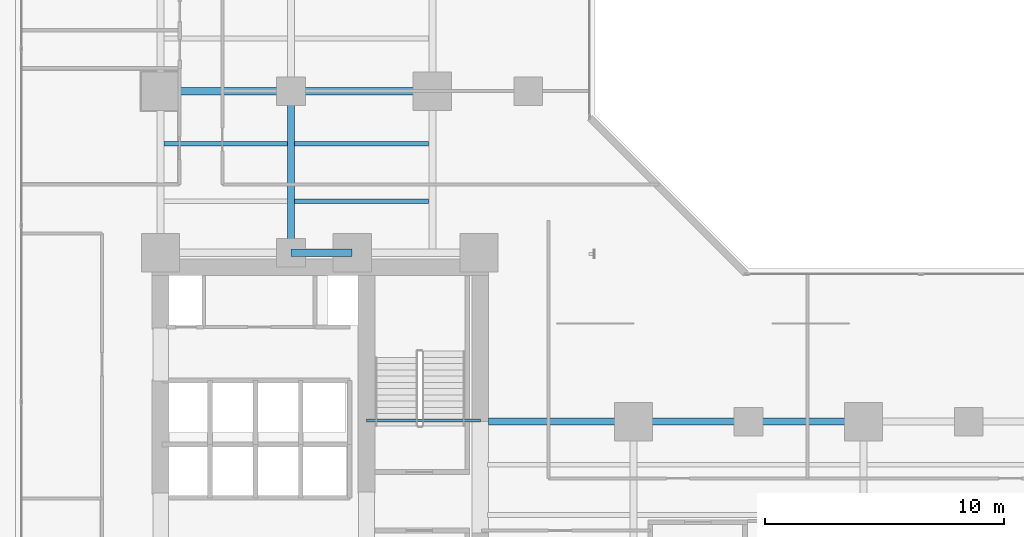
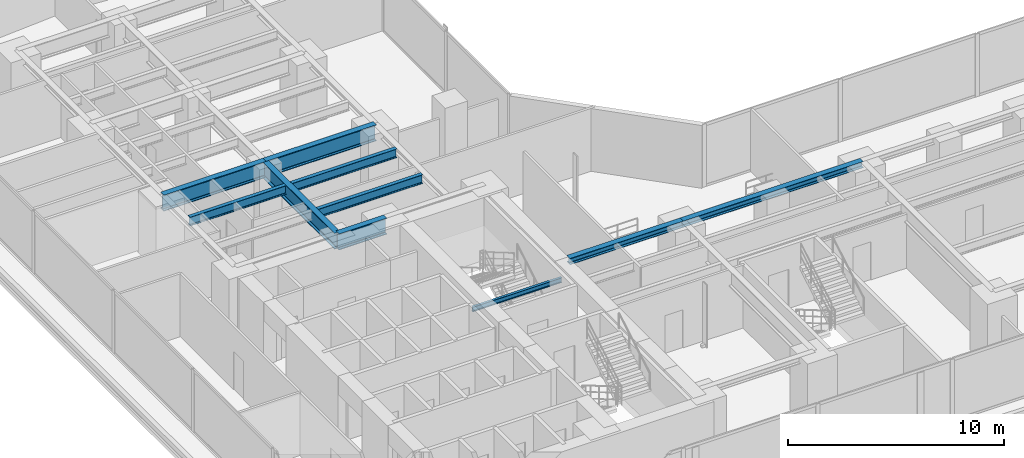
# One storey, part 7 of 29: 10 beams.
"""IFC4 building model written with IfcOpenShell, lengths in metres."""

from ifc_helpers import new_model, si_unit, direction, frame, origin, origin_2d, place, context, subcontext, project, spatial, i_section, extrude, material, material_profile, profile_set, type_object, element, save


model = new_model("IFC4")

# Units and contexts
model_context = context("Model", 3, precision=1e-05, world=origin(), true_north=direction((0.0, 1.0)))
body_context = subcontext(model_context, "Body", "Model", "MODEL_VIEW")
ifc_project = project(units=[si_unit("LENGTHUNIT", "METRE"), si_unit("AREAUNIT", "SQUARE_METRE"), si_unit("VOLUMEUNIT", "CUBIC_METRE"), si_unit("PLANEANGLEUNIT", "RADIAN"), si_unit("MASSUNIT", "GRAM", prefix="KILO")], contexts=[model_context])

# Site, building, storey
site_placement = place(None, origin())
site = spatial("IfcSite", under=ifc_project, at=site_placement, CompositionType="ELEMENT")
building_placement = place(site_placement, origin())
building = spatial("IfcBuilding", under=site, at=building_placement, Name="Kolvaren Waterfront Exchange", CompositionType="ELEMENT")
storey_placement = place(building_placement, frame((0.0, 0.0, 29.60009765625)))
storey = spatial("IfcBuildingStorey", under=building, at=storey_placement, Name="L07", CompositionType="ELEMENT", Elevation=29.60009765625)

# Beams
ifc_material_1 = material(Name="Steel S355", Category="steel")
ifc_material_profile_1 = material_profile(ifc_material_1, i_section(OverallWidth=0.300048828125, OverallDepth=0.360107421875, WebThickness=0.012451171875, FlangeThickness=0.0224609375, FilletRadius=0.027099609375, at=origin_2d()), Name="HEB360")
ifc_profile_set_1 = profile_set([ifc_material_profile_1], Name="Steel S355")
beam_type_1 = type_object("IfcBeamType", Name="STR-BM-HEB360", PredefinedType="SPANDREL", material=ifc_profile_set_1)
beam_1_placement = place(storey_placement, frame((21.14990234375, 17.39990234375, 3.35986328125), z_axis=(1.0, 0.0, 0.0), x_axis=(0.0, 1.0, 0.0)))
element("IfcBeam", 1, at=beam_1_placement, inside=storey, type_object=beam_type_1, Name="L07 east-arm spandrel N1", PredefinedType="SPANDREL", context=body_context, shape_type="SweptSolid", body=[
    extrude(i_section(OverallWidth=0.300048828125, OverallDepth=0.360107421875, WebThickness=0.012451171875, FlangeThickness=0.0224609375, FilletRadius=0.027099609375, at=origin_2d()), origin(), (0.0, 0.0, 1.0), 6.050048828125),
])
beam_2_placement = place(storey_placement, frame((27.199951171875, 17.39990234375, 3.35986328125), z_axis=(1.0, 0.0, 0.0), x_axis=(0.0, 1.0, 0.0)))
element("IfcBeam", 2, at=beam_2_placement, inside=storey, type_object=beam_type_1, Name="L07 east-arm spandrel N2", PredefinedType="SPANDREL", context=body_context, shape_type="SweptSolid", body=[
    extrude(i_section(OverallWidth=0.300048828125, OverallDepth=0.360107421875, WebThickness=0.012451171875, FlangeThickness=0.0224609375, FilletRadius=0.027099609375, at=origin_2d()), origin(), (0.0, 0.0, 1.0), 9.60009765625),
])
ifc_material_profile_2 = material_profile(ifc_material_1, i_section(OverallWidth=0.135009765625, OverallDepth=0.27001953125, WebThickness=0.006591796875, FlangeThickness=0.01025390625, FilletRadius=0.014892578125, at=origin_2d()), Name="IPE270")
ifc_profile_set_2 = profile_set([ifc_material_profile_2], Name="Steel S355")
beam_type_2 = type_object("IfcBeamType", Name="STR-BM-IPE270", PredefinedType="LINTEL", material=ifc_profile_set_2)
beam_3_placement = place(storey_placement, frame((16.050048828125, 17.449951171875, 2.364990234375), z_axis=(1.0, 0.0, 0.0), x_axis=(0.0, 1.0, 0.0)))
element("IfcBeam", 3, at=beam_3_placement, inside=storey, type_object=beam_type_2, Name="L07 core stair header lintel", PredefinedType="LINTEL", context=body_context, shape_type="SweptSolid", body=[
    extrude(i_section(OverallWidth=0.135009765625, OverallDepth=0.27001953125, WebThickness=0.006591796875, FlangeThickness=0.01025390625, FilletRadius=0.014892578125, at=origin_2d()), origin(), (0.0, 0.0, 1.0), 4.75),
])
ifc_material_profile_3 = material_profile(ifc_material_1, i_section(OverallWidth=0.199951171875, OverallDepth=0.5, WebThickness=0.01025390625, FlangeThickness=0.01611328125, FilletRadius=0.02099609375, at=origin_2d()), Name="IPE500")
ifc_profile_set_3 = profile_set([ifc_material_profile_3], Name="Steel S355")
beam_type_3 = type_object("IfcBeamType", Name="STR-BM-IPE500", PredefinedType="JOIST", material=ifc_profile_set_3)
beam_4_placement = place(storey_placement, frame((13.052978515625, 26.60009765625, 3.289794921875), z_axis=(1.0, 0.0, 0.0), x_axis=(0.0, 1.0, 0.0)))
element("IfcBeam", 4, at=beam_4_placement, inside=storey, type_object=beam_type_3, Name="L07 north-arm composite joist 1B", PredefinedType="JOIST", context=body_context, shape_type="SweptSolid", body=[
    extrude(i_section(OverallWidth=0.199951171875, OverallDepth=0.5, WebThickness=0.01025390625, FlangeThickness=0.01611328125, FilletRadius=0.02099609375, at=origin_2d()), origin(), (0.0, 0.0, 1.0), 5.594970703125),
])
beam_5_placement = place(storey_placement, frame((7.60205078125, 29.0, 3.289794921875), z_axis=(1.0, 0.0, 0.0), x_axis=(0.0, 1.0, 0.0)))
element("IfcBeam", 5, at=beam_5_placement, inside=storey, type_object=beam_type_3, Name="L07 north-arm composite joist 2A", PredefinedType="JOIST", context=body_context, shape_type="SweptSolid", body=[
    extrude(i_section(OverallWidth=0.199951171875, OverallDepth=0.5, WebThickness=0.01025390625, FlangeThickness=0.01611328125, FilletRadius=0.02099609375, at=origin_2d()), origin(), (0.0, 0.0, 1.0), 5.14501953125),
])
beam_6_placement = place(storey_placement, frame((13.052978515625, 29.0, 3.289794921875), z_axis=(1.0, 0.0, 0.0), x_axis=(0.0, 1.0, 0.0)))
element("IfcBeam", 6, at=beam_6_placement, inside=storey, type_object=beam_type_3, Name="L07 north-arm composite joist 2B", PredefinedType="JOIST", context=body_context, shape_type="SweptSolid", body=[
    extrude(i_section(OverallWidth=0.199951171875, OverallDepth=0.5, WebThickness=0.01025390625, FlangeThickness=0.01611328125, FilletRadius=0.02099609375, at=origin_2d()), origin(), (0.0, 0.0, 1.0), 5.594970703125),
])
ifc_material_2 = material(Name="Steel S460", Category="steel")
ifc_material_profile_4 = material_profile(ifc_material_2, i_section(OverallWidth=0.302001953125, OverallDepth=0.909912109375, WebThickness=0.02099609375, FlangeThickness=0.0400390625, FilletRadius=0.030029296875, at=origin_2d()), Name="HEM900")
ifc_profile_set_4 = profile_set([ifc_material_profile_4], Name="Steel S460")
beam_type_4 = type_object("IfcBeamType", Name="STR-TRG-HEM900", PredefinedType="BEAM", material=ifc_profile_set_4)
beam_7_placement = place(storey_placement, frame((12.89990234375, 24.449951171875, 3.0849609375), z_axis=(1.0, 0.0, 0.0), x_axis=(0.0, 1.0, 0.0)))
element("IfcBeam", 7, at=beam_7_placement, inside=storey, type_object=beam_type_4, Name="L07 north-arm girder 1B", PredefinedType="BEAM", context=body_context, shape_type="SweptSolid", body=[
    extrude(i_section(OverallWidth=0.302001953125, OverallDepth=0.909912109375, WebThickness=0.02099609375, FlangeThickness=0.0400390625, FilletRadius=0.030029296875, at=origin_2d()), origin(), (0.0, 0.0, 1.0), 2.550048828125),
])
beam_8_placement = place(storey_placement, frame((7.449951171875, 31.199951171875, 3.0849609375), z_axis=(1.0, 0.0, 0.0), x_axis=(0.0, 1.0, 0.0)))
element("IfcBeam", 8, at=beam_8_placement, inside=storey, type_object=beam_type_4, Name="L07 north-arm girder 2A", PredefinedType="BEAM", context=body_context, shape_type="SweptSolid", body=[
    extrude(i_section(OverallWidth=0.302001953125, OverallDepth=0.909912109375, WebThickness=0.02099609375, FlangeThickness=0.0400390625, FilletRadius=0.030029296875, at=origin_2d()), origin(), (0.0, 0.0, 1.0), 5.449951171875),
])
beam_9_placement = place(storey_placement, frame((12.89990234375, 31.199951171875, 3.0849609375), z_axis=(1.0, 0.0, 0.0), x_axis=(0.0, 1.0, 0.0)))
element("IfcBeam", 9, at=beam_9_placement, inside=storey, type_object=beam_type_4, Name="L07 north-arm girder 2B", PredefinedType="BEAM", context=body_context, shape_type="SweptSolid", body=[
    extrude(i_section(OverallWidth=0.302001953125, OverallDepth=0.909912109375, WebThickness=0.02099609375, FlangeThickness=0.0400390625, FilletRadius=0.030029296875, at=origin_2d()), origin(), (0.0, 0.0, 1.0), 5.900146484375),
])
beam_10_placement = place(storey_placement, frame((12.89990234375, 24.449951171875, 3.0849609375), z_axis=(0.0, 1.0, 0.0), x_axis=(-1.0, 0.0, 0.0)))
element("IfcBeam", 10, at=beam_10_placement, inside=storey, type_object=beam_type_4, Name="L07 north-arm edge beam 1", PredefinedType="BEAM", context=body_context, shape_type="SweptSolid", body=[
    extrude(i_section(OverallWidth=0.302001953125, OverallDepth=0.909912109375, WebThickness=0.02099609375, FlangeThickness=0.0400390625, FilletRadius=0.030029296875, at=origin_2d()), origin(), (0.0, 0.0, 1.0), 6.75),
])

save(model, "model.ifc")
